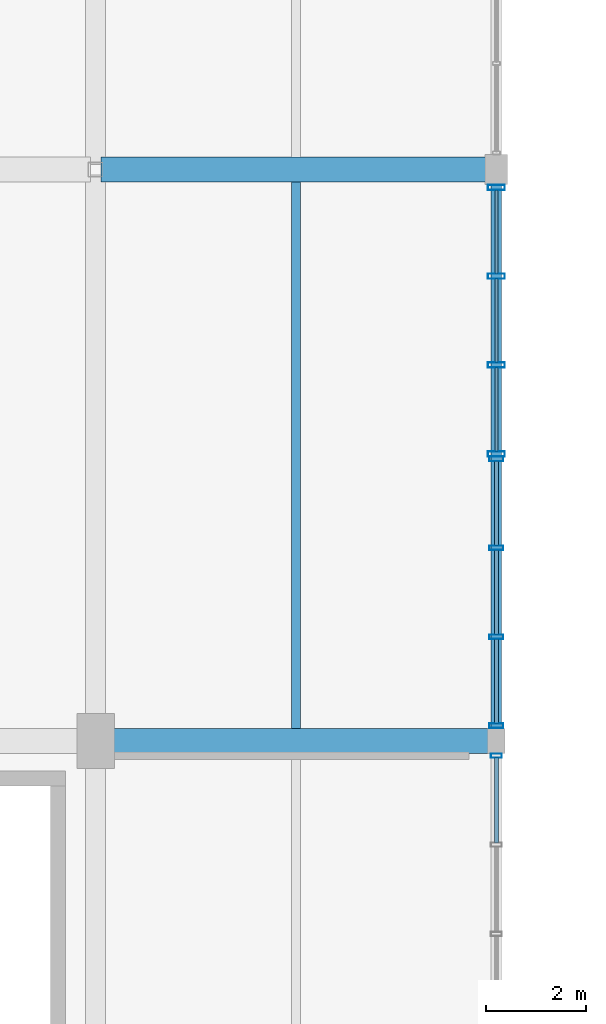
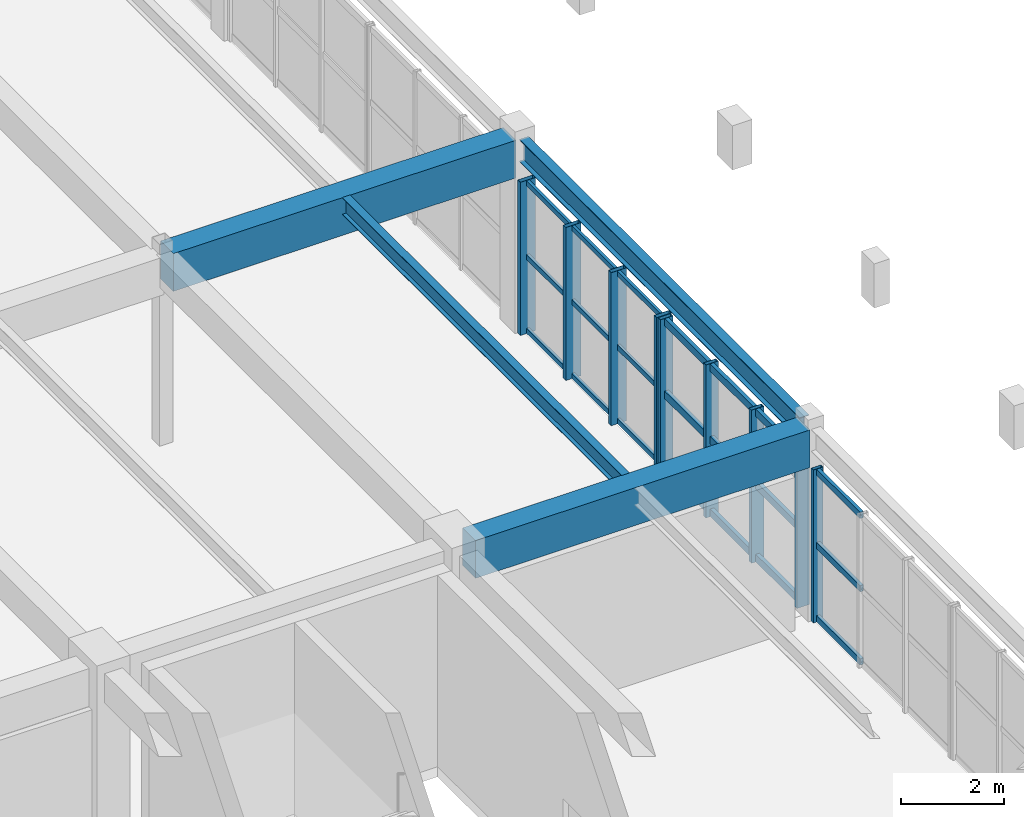
# One storey, part 26 of 106: 30 members, 4 beams, 3 elements without a shape of their own.
"""IFC4 building model written with IfcOpenShell, lengths in metres."""

from ifc_helpers import new_model, si_unit, direction, frame, origin, origin_2d, place, context, subcontext, project, spatial, rectangle, hollow_rectangle, i_section, extrude, material, layer, layer_set, material_profile, profile_set, type_object, element, aggregate, save


model = new_model("IFC4")

# Units and contexts
model_context = context("Model", 3, precision=1e-05, world=origin(), true_north=direction((0.0, 1.0)))
body_context = subcontext(model_context, "Body", "Model", "MODEL_VIEW")
ifc_project = project(units=[si_unit("LENGTHUNIT", "METRE"), si_unit("AREAUNIT", "SQUARE_METRE"), si_unit("VOLUMEUNIT", "CUBIC_METRE"), si_unit("PLANEANGLEUNIT", "RADIAN"), si_unit("MASSUNIT", "GRAM", prefix="KILO"), si_unit("POWERUNIT", "WATT"), si_unit("THERMODYNAMICTEMPERATUREUNIT", "KELVIN")], contexts=[model_context])

# Site, building, storey
site_placement = place(None, origin())
site = spatial("IfcSite", under=ifc_project, at=site_placement, CompositionType="ELEMENT")
building_placement = place(site_placement, origin())
building = spatial("IfcBuilding", under=site, at=building_placement, Name="Kelmbourne Parkland Aquatics Centre", CompositionType="ELEMENT")
storey_placement = place(building_placement, frame((0.0, 0.0, 5.39990234375)))
storey = spatial("IfcBuildingStorey", under=building, at=storey_placement, Name="L01", CompositionType="ELEMENT", Elevation=5.39990234375)

# Beams
ifc_material_1 = material(Name="Concrete C40/50", Category="concrete")
ifc_material_profile_1 = material_profile(ifc_material_1, rectangle(XDim=0.5, YDim=0.89990234375, at=origin_2d()), Name="RC 500x900")
ifc_profile_set_1 = profile_set([ifc_material_profile_1], Name="Concrete C40/50")
beam_type_1 = type_object("IfcBeamType", Name="BM-G03", PredefinedType="BEAM", material=ifc_profile_set_1)
beam_1_placement = place(storey_placement, frame((32.330078125, 46.39990234375, 4.110107421875), z_axis=(1.0, 0.0, 0.0), x_axis=(0.0, 1.0, 0.0)))
element("IfcBeam", 1, at=beam_1_placement, inside=storey, type_object=beam_type_1, Name="Primary girder E-F Grid 06 (L02)", PredefinedType="BEAM", context=body_context, shape_type="SweptSolid", body=[
    extrude(rectangle(XDim=0.5, YDim=0.89990234375, at=origin_2d()), origin(), (0.0, 0.0, 1.0), 7.5400390625),
])
beam_2_placement = place(storey_placement, frame((32.10498046875, 57.800048828125, 4.110107421875), z_axis=(1.0, 0.0, 0.0), x_axis=(0.0, 1.0, 0.0)))
element("IfcBeam", 2, at=beam_2_placement, inside=storey, type_object=beam_type_1, Name="Primary girder E-F Grid 08 (L02)", PredefinedType="BEAM", context=body_context, shape_type="SweptSolid", body=[
    extrude(rectangle(XDim=0.5, YDim=0.89990234375, at=origin_2d()), origin(), (0.0, 0.0, 1.0), 7.715087890625),
])
ifc_material_2 = material(Name="Structural steel AS/NZS 3679.1 Grade 300", Category="steel")
ifc_material_profile_2 = material_profile(ifc_material_2, i_section(OverallWidth=0.177978515625, OverallDepth=0.406005859375, WebThickness=0.0078125, FlangeThickness=0.0126953125, at=origin_2d()), Name="410UB59.7")
ifc_profile_set_2 = profile_set([ifc_material_profile_2], Name="Structural steel AS/NZS 3679.1 Grade 300")
beam_type_2 = type_object("IfcBeamType", Name="BM-J01", PredefinedType="JOIST", material=ifc_profile_set_2)
beam_3_placement = place(storey_placement, frame((36.0, 46.64208984375, 4.357177734375), z_axis=(0.0, 1.0, 0.0), x_axis=(-1.0, 0.0, 0.0)))
element("IfcBeam", 3, at=beam_3_placement, inside=storey, type_object=beam_type_2, Name="Secondary floor joist E-F/06-08 #1 (L02)", PredefinedType="JOIST", context=body_context, shape_type="SweptSolid", body=[
    extrude(i_section(OverallWidth=0.177978515625, OverallDepth=0.406005859375, WebThickness=0.0078125, FlangeThickness=0.0126953125, at=origin_2d()), origin(), (0.0, 0.0, 1.0), 10.916015625),
])
ifc_material_profile_3 = material_profile(ifc_material_2, i_section(OverallWidth=0.208984375, OverallDepth=0.532958984375, WebThickness=0.01025390625, FlangeThickness=0.015625, at=origin_2d()), Name="530UB92.4")
ifc_profile_set_3 = profile_set([ifc_material_profile_3], Name="Structural steel AS/NZS 3679.1 Grade 300")
beam_type_3 = type_object("IfcBeamType", Name="BM-SP02", PredefinedType="SPANDREL", material=ifc_profile_set_3)
beam_4_placement = place(storey_placement, frame((40.0, 46.60498046875, 4.293701171875), z_axis=(0.0, 1.0, 0.0), x_axis=(-1.0, 0.0, 0.0)))
element("IfcBeam", 4, at=beam_4_placement, inside=storey, type_object=beam_type_3, Name="Perimeter spandrel 06-08 Grid F (L02)", PredefinedType="SPANDREL", context=body_context, shape_type="SweptSolid", body=[
    extrude(i_section(OverallWidth=0.208984375, OverallDepth=0.532958984375, WebThickness=0.01025390625, FlangeThickness=0.015625, at=origin_2d()), origin(), (0.0, 0.0, 1.0), 10.93994140625),
])

# Curtain wall, member
ifc_material_3 = material(Name="Thermally broken anodised aluminium framing", Category="aluminium")
ifc_layer_1 = layer(ifc_material_3, 0.179931640625)
ifc_layer_set_1 = layer_set([ifc_layer_1], Name="Thermally broken anodised aluminium framing")
curtain_wall_type_1 = type_object("IfcCurtainWallType", Name="CW-16", PredefinedType="NOTDEFINED", material=ifc_layer_set_1)
curtain_wall_1_placement = place(storey_placement, origin())
curtain_wall_1 = element("IfcCurtainWall", 5, at=curtain_wall_1_placement, inside=storey, type_object=curtain_wall_type_1, Name="Facade curtain wall CW-L01-232", PredefinedType="NOTDEFINED")
ifc_material_profile_4 = material_profile(ifc_material_3, hollow_rectangle(XDim=0.0849609375, YDim=0.219970703125, WallThickness=0.0048828125, at=origin_2d()), Name="CW-M 85x220")
ifc_profile_set_4 = profile_set([ifc_material_profile_4], Name="Thermally broken anodised aluminium framing")
member_type_1 = type_object("IfcMemberType", Name="MB-MUL-3", PredefinedType="MULLION", material=ifc_profile_set_4)
member_1_placement = place(storey_placement, frame((40.0, 46.10546875, 0.0), z_axis=(0.0, 0.0, 1.0), x_axis=(0.0, 1.0, 0.0)))
member_1 = element("IfcMember", 6, at=member_1_placement, type_object=member_type_1, Name="CW-L01-232 mullion 3", PredefinedType="MULLION", context=body_context, shape_type="SweptSolid", body=[
    extrude(hollow_rectangle(XDim=0.0849609375, YDim=0.219970703125, WallThickness=0.0048828125, at=origin_2d()), origin(), (0.0, 0.0, 1.0), 3.64501953125),
])

# Curtain wall, members
ifc_layer_2 = layer(ifc_material_3, 0.179931640625)
ifc_layer_set_2 = layer_set([ifc_layer_2], Name="Thermally broken anodised aluminium framing")
curtain_wall_type_2 = type_object("IfcCurtainWallType", Name="CW-17", PredefinedType="NOTDEFINED", material=ifc_layer_set_2)
curtain_wall_2_placement = place(storey_placement, origin())
curtain_wall_2 = element("IfcCurtainWall", 7, at=curtain_wall_2_placement, inside=storey, type_object=curtain_wall_type_2, Name="Facade curtain wall CW-L01-233", PredefinedType="NOTDEFINED")
ifc_material_profile_5 = material_profile(ifc_material_3, hollow_rectangle(XDim=0.094970703125, YDim=0.280029296875, WallThickness=0.005615234375, at=origin_2d()), Name="CW-M 95x280")
ifc_profile_set_5 = profile_set([ifc_material_profile_5], Name="Thermally broken anodised aluminium framing")
member_type_2 = type_object("IfcMemberType", Name="MB-MUL-4", PredefinedType="MULLION", material=ifc_profile_set_5)
member_2_placement = place(storey_placement, frame((40.0, 46.699462890625, 0.0), z_axis=(0.0, 0.0, 1.0), x_axis=(0.0, 1.0, 0.0)))
member_2 = element("IfcMember", 8, at=member_2_placement, type_object=member_type_2, Name="CW-L01-233 mullion 0", PredefinedType="MULLION", context=body_context, shape_type="SweptSolid", body=[
    extrude(hollow_rectangle(XDim=0.094970703125, YDim=0.280029296875, WallThickness=0.005615234375, at=origin_2d()), origin(), (0.0, 0.0, 1.0), 3.64501953125),
])
member_3_placement = place(storey_placement, frame((40.0, 48.4755859375, 0.0), z_axis=(0.0, 0.0, 1.0), x_axis=(0.0, 1.0, 0.0)))
member_3 = element("IfcMember", 9, at=member_3_placement, type_object=member_type_2, Name="CW-L01-233 mullion 1", PredefinedType="MULLION", context=body_context, shape_type="SweptSolid", body=[
    extrude(hollow_rectangle(XDim=0.094970703125, YDim=0.280029296875, WallThickness=0.005615234375, at=origin_2d()), origin(), (0.0, 0.0, 1.0), 3.64501953125),
])
member_4_placement = place(storey_placement, frame((40.0, 50.25146484375, 0.0), z_axis=(0.0, 0.0, 1.0), x_axis=(0.0, 1.0, 0.0)))
member_4 = element("IfcMember", 10, at=member_4_placement, type_object=member_type_2, Name="CW-L01-233 mullion 2", PredefinedType="MULLION", context=body_context, shape_type="SweptSolid", body=[
    extrude(hollow_rectangle(XDim=0.094970703125, YDim=0.280029296875, WallThickness=0.005615234375, at=origin_2d()), origin(), (0.0, 0.0, 1.0), 3.64501953125),
])
member_5_placement = place(storey_placement, frame((40.0, 52.027587890625, 0.0), z_axis=(0.0, 0.0, 1.0), x_axis=(0.0, 1.0, 0.0)))
member_5 = element("IfcMember", 11, at=member_5_placement, type_object=member_type_2, Name="CW-L01-233 mullion 3", PredefinedType="MULLION", context=body_context, shape_type="SweptSolid", body=[
    extrude(hollow_rectangle(XDim=0.094970703125, YDim=0.280029296875, WallThickness=0.005615234375, at=origin_2d()), origin(), (0.0, 0.0, 1.0), 3.64501953125),
])

ifc_layer_3 = layer(ifc_material_3, 0.179931640625)
ifc_layer_set_3 = layer_set([ifc_layer_3], Name="Thermally broken anodised aluminium framing")
curtain_wall_type_3 = type_object("IfcCurtainWallType", Name="CW-18", PredefinedType="NOTDEFINED", material=ifc_layer_set_3)
curtain_wall_3_placement = place(storey_placement, origin())
curtain_wall_3 = element("IfcCurtainWall", 12, at=curtain_wall_3_placement, inside=storey, type_object=curtain_wall_type_3, Name="Facade curtain wall CW-L01-234", PredefinedType="NOTDEFINED")
ifc_material_profile_6 = material_profile(ifc_material_3, hollow_rectangle(XDim=0.10498046875, YDim=0.340087890625, WallThickness=0.006103515625, at=origin_2d()), Name="CW-M 105x340")
ifc_profile_set_6 = profile_set([ifc_material_profile_6], Name="Thermally broken anodised aluminium framing")
member_type_3 = type_object("IfcMemberType", Name="MB-MUL-5", PredefinedType="MULLION", material=ifc_profile_set_6)
member_6_placement = place(storey_placement, frame((40.0, 52.12744140625, 0.0), z_axis=(0.0, 0.0, 1.0), x_axis=(0.0, 1.0, 0.0)))
member_6 = element("IfcMember", 13, at=member_6_placement, type_object=member_type_3, Name="CW-L01-234 mullion 0", PredefinedType="MULLION", context=body_context, shape_type="SweptSolid", body=[
    extrude(hollow_rectangle(XDim=0.10498046875, YDim=0.340087890625, WallThickness=0.006103515625, at=origin_2d()), origin(), (0.0, 0.0, 1.0), 3.64501953125),
])
member_7_placement = place(storey_placement, frame((40.0, 53.900146484375, 0.0), z_axis=(0.0, 0.0, 1.0), x_axis=(0.0, 1.0, 0.0)))
member_7 = element("IfcMember", 14, at=member_7_placement, type_object=member_type_3, Name="CW-L01-234 mullion 1", PredefinedType="MULLION", context=body_context, shape_type="SweptSolid", body=[
    extrude(hollow_rectangle(XDim=0.10498046875, YDim=0.340087890625, WallThickness=0.006103515625, at=origin_2d()), origin(), (0.0, 0.0, 1.0), 3.64501953125),
])
member_8_placement = place(storey_placement, frame((40.0, 55.6728515625, 0.0), z_axis=(0.0, 0.0, 1.0), x_axis=(0.0, 1.0, 0.0)))
member_8 = element("IfcMember", 15, at=member_8_placement, type_object=member_type_3, Name="CW-L01-234 mullion 2", PredefinedType="MULLION", context=body_context, shape_type="SweptSolid", body=[
    extrude(hollow_rectangle(XDim=0.10498046875, YDim=0.340087890625, WallThickness=0.006103515625, at=origin_2d()), origin(), (0.0, 0.0, 1.0), 3.64501953125),
])
member_9_placement = place(storey_placement, frame((40.0, 57.445556640625, 0.0), z_axis=(0.0, 0.0, 1.0), x_axis=(0.0, 1.0, 0.0)))
member_9 = element("IfcMember", 16, at=member_9_placement, type_object=member_type_3, Name="CW-L01-234 mullion 3", PredefinedType="MULLION", context=body_context, shape_type="SweptSolid", body=[
    extrude(hollow_rectangle(XDim=0.10498046875, YDim=0.340087890625, WallThickness=0.006103515625, at=origin_2d()), origin(), (0.0, 0.0, 1.0), 3.64501953125),
])
ifc_material_profile_7 = material_profile(ifc_material_3, hollow_rectangle(XDim=0.06494140625, YDim=0.1201171875, WallThickness=0.00341796875, at=origin_2d()), Name="CW-T 65x120")
ifc_profile_set_7 = profile_set([ifc_material_profile_7], Name="Thermally broken anodised aluminium framing")
member_type_4 = type_object("IfcMemberType", Name="MB-TRN-1", PredefinedType="USERDEFINED", material=ifc_profile_set_7)
member_10_placement = place(storey_placement, frame((40.0, 52.176025390625, 0.06298828125), z_axis=(0.0, 1.0, 0.0), x_axis=(-1.0, 0.0, 0.0)))
member_10 = element("IfcMember", 17, at=member_10_placement, type_object=member_type_4, Name="CW-L01-234 transom 0-0", ObjectType="TRANSOM", PredefinedType="USERDEFINED", context=body_context, shape_type="SweptSolid", body=[
    extrude(hollow_rectangle(XDim=0.06494140625, YDim=0.1201171875, WallThickness=0.00341796875, at=origin_2d()), origin(), (0.0, 0.0, 1.0), 1.67578125),
])
member_11_placement = place(storey_placement, frame((40.0, 53.94873046875, 0.06298828125), z_axis=(0.0, 1.0, 0.0), x_axis=(-1.0, 0.0, 0.0)))
member_11 = element("IfcMember", 18, at=member_11_placement, type_object=member_type_4, Name="CW-L01-234 transom 0-1", ObjectType="TRANSOM", PredefinedType="USERDEFINED", context=body_context, shape_type="SweptSolid", body=[
    extrude(hollow_rectangle(XDim=0.06494140625, YDim=0.1201171875, WallThickness=0.00341796875, at=origin_2d()), origin(), (0.0, 0.0, 1.0), 1.675537109375),
])
member_12_placement = place(storey_placement, frame((40.0, 55.72119140625, 0.06298828125), z_axis=(0.0, 1.0, 0.0), x_axis=(-1.0, 0.0, 0.0)))
member_12 = element("IfcMember", 19, at=member_12_placement, type_object=member_type_4, Name="CW-L01-234 transom 0-2", ObjectType="TRANSOM", PredefinedType="USERDEFINED", context=body_context, shape_type="SweptSolid", body=[
    extrude(hollow_rectangle(XDim=0.06494140625, YDim=0.1201171875, WallThickness=0.00341796875, at=origin_2d()), origin(), (0.0, 0.0, 1.0), 1.67578125),
])
member_13_placement = place(storey_placement, frame((40.0, 52.176025390625, 1.822509765625), z_axis=(0.0, 1.0, 0.0), x_axis=(-1.0, 0.0, 0.0)))
member_13 = element("IfcMember", 20, at=member_13_placement, type_object=member_type_4, Name="CW-L01-234 transom 1-0", ObjectType="TRANSOM", PredefinedType="USERDEFINED", context=body_context, shape_type="SweptSolid", body=[
    extrude(hollow_rectangle(XDim=0.06494140625, YDim=0.1201171875, WallThickness=0.00341796875, at=origin_2d()), origin(), (0.0, 0.0, 1.0), 1.67578125),
])
member_14_placement = place(storey_placement, frame((40.0, 53.94873046875, 1.822509765625), z_axis=(0.0, 1.0, 0.0), x_axis=(-1.0, 0.0, 0.0)))
member_14 = element("IfcMember", 21, at=member_14_placement, type_object=member_type_4, Name="CW-L01-234 transom 1-1", ObjectType="TRANSOM", PredefinedType="USERDEFINED", context=body_context, shape_type="SweptSolid", body=[
    extrude(hollow_rectangle(XDim=0.06494140625, YDim=0.1201171875, WallThickness=0.00341796875, at=origin_2d()), origin(), (0.0, 0.0, 1.0), 1.675537109375),
])
member_15_placement = place(storey_placement, frame((40.0, 55.72119140625, 1.822509765625), z_axis=(0.0, 1.0, 0.0), x_axis=(-1.0, 0.0, 0.0)))
member_15 = element("IfcMember", 22, at=member_15_placement, type_object=member_type_4, Name="CW-L01-234 transom 1-2", ObjectType="TRANSOM", PredefinedType="USERDEFINED", context=body_context, shape_type="SweptSolid", body=[
    extrude(hollow_rectangle(XDim=0.06494140625, YDim=0.1201171875, WallThickness=0.00341796875, at=origin_2d()), origin(), (0.0, 0.0, 1.0), 1.67578125),
])
member_16_placement = place(storey_placement, frame((40.0, 52.176025390625, 3.58203125), z_axis=(0.0, 1.0, 0.0), x_axis=(-1.0, 0.0, 0.0)))
member_16 = element("IfcMember", 23, at=member_16_placement, type_object=member_type_4, Name="CW-L01-234 transom 2-0", ObjectType="TRANSOM", PredefinedType="USERDEFINED", context=body_context, shape_type="SweptSolid", body=[
    extrude(hollow_rectangle(XDim=0.06494140625, YDim=0.1201171875, WallThickness=0.00341796875, at=origin_2d()), origin(), (0.0, 0.0, 1.0), 1.67578125),
])
member_17_placement = place(storey_placement, frame((40.0, 53.94873046875, 3.58203125), z_axis=(0.0, 1.0, 0.0), x_axis=(-1.0, 0.0, 0.0)))
member_17 = element("IfcMember", 24, at=member_17_placement, type_object=member_type_4, Name="CW-L01-234 transom 2-1", ObjectType="TRANSOM", PredefinedType="USERDEFINED", context=body_context, shape_type="SweptSolid", body=[
    extrude(hollow_rectangle(XDim=0.06494140625, YDim=0.1201171875, WallThickness=0.00341796875, at=origin_2d()), origin(), (0.0, 0.0, 1.0), 1.675537109375),
])
member_18_placement = place(storey_placement, frame((40.0, 55.72119140625, 3.58203125), z_axis=(0.0, 1.0, 0.0), x_axis=(-1.0, 0.0, 0.0)))
member_18 = element("IfcMember", 25, at=member_18_placement, type_object=member_type_4, Name="CW-L01-234 transom 2-2", ObjectType="TRANSOM", PredefinedType="USERDEFINED", context=body_context, shape_type="SweptSolid", body=[
    extrude(hollow_rectangle(XDim=0.06494140625, YDim=0.1201171875, WallThickness=0.00341796875, at=origin_2d()), origin(), (0.0, 0.0, 1.0), 1.67578125),
])
aggregate(curtain_wall_3, [member_6, member_7, member_8, member_9, member_10, member_11, member_12, member_13, member_14, member_15, member_16, member_17, member_18])

# Member
ifc_material_profile_8 = material_profile(ifc_material_3, hollow_rectangle(XDim=0.074951171875, YDim=0.14990234375, WallThickness=0.00390625, at=origin_2d()), Name="CW-T 75x150")
ifc_profile_set_8 = profile_set([ifc_material_profile_8], Name="Thermally broken anodised aluminium framing")
member_type_5 = type_object("IfcMemberType", Name="MB-TRN-2", PredefinedType="USERDEFINED", material=ifc_profile_set_8)
member_19_placement = place(storey_placement, frame((40.0, 44.36474609375, 0.078125), z_axis=(0.0, 1.0, 0.0), x_axis=(-1.0, 0.0, 0.0)))
member_19 = element("IfcMember", 26, at=member_19_placement, type_object=member_type_5, Name="CW-L01-232 transom 0-2", ObjectType="TRANSOM", PredefinedType="USERDEFINED", context=body_context, shape_type="SweptSolid", body=[
    extrude(hollow_rectangle(XDim=0.074951171875, YDim=0.14990234375, WallThickness=0.00390625, at=origin_2d()), origin(), (0.0, 0.0, 1.0), 1.7021484375),
])

member_20_placement = place(storey_placement, frame((40.0, 44.36474609375, 1.822509765625), z_axis=(0.0, 1.0, 0.0), x_axis=(-1.0, 0.0, 0.0)))
member_20 = element("IfcMember", 27, at=member_20_placement, type_object=member_type_5, Name="CW-L01-232 transom 1-2", ObjectType="TRANSOM", PredefinedType="USERDEFINED", context=body_context, shape_type="SweptSolid", body=[
    extrude(hollow_rectangle(XDim=0.074951171875, YDim=0.14990234375, WallThickness=0.00390625, at=origin_2d()), origin(), (0.0, 0.0, 1.0), 1.7021484375),
])

member_21_placement = place(storey_placement, frame((40.0, 44.36474609375, 3.567138671875), z_axis=(0.0, 1.0, 0.0), x_axis=(-1.0, 0.0, 0.0)))
member_21 = element("IfcMember", 28, at=member_21_placement, type_object=member_type_5, Name="CW-L01-232 transom 2-2", ObjectType="TRANSOM", PredefinedType="USERDEFINED", context=body_context, shape_type="SweptSolid", body=[
    extrude(hollow_rectangle(XDim=0.074951171875, YDim=0.14990234375, WallThickness=0.00390625, at=origin_2d()), origin(), (0.0, 0.0, 1.0), 1.7021484375),
])

aggregate(curtain_wall_1, [member_1, member_19, member_20, member_21])

ifc_material_profile_9 = material_profile(ifc_material_3, hollow_rectangle(XDim=0.0849609375, YDim=0.179931640625, WallThickness=0.00439453125, at=origin_2d()), Name="CW-T 85x180")
ifc_profile_set_9 = profile_set([ifc_material_profile_9], Name="Thermally broken anodised aluminium framing")
member_type_6 = type_object("IfcMemberType", Name="MB-TRN-3", PredefinedType="USERDEFINED", material=ifc_profile_set_9)
member_22_placement = place(storey_placement, frame((40.0, 46.742919921875, 0.093017578125), z_axis=(0.0, 1.0, 0.0), x_axis=(-1.0, 0.0, 0.0)))
member_22 = element("IfcMember", 29, at=member_22_placement, type_object=member_type_6, Name="CW-L01-233 transom 0-0", ObjectType="TRANSOM", PredefinedType="USERDEFINED", context=body_context, shape_type="SweptSolid", body=[
    extrude(hollow_rectangle(XDim=0.0849609375, YDim=0.179931640625, WallThickness=0.00439453125, at=origin_2d()), origin(), (0.0, 0.0, 1.0), 1.68896484375),
])

member_23_placement = place(storey_placement, frame((40.0, 48.51904296875, 0.093017578125), z_axis=(0.0, 1.0, 0.0), x_axis=(-1.0, 0.0, 0.0)))
member_23 = element("IfcMember", 30, at=member_23_placement, type_object=member_type_6, Name="CW-L01-233 transom 0-1", ObjectType="TRANSOM", PredefinedType="USERDEFINED", context=body_context, shape_type="SweptSolid", body=[
    extrude(hollow_rectangle(XDim=0.0849609375, YDim=0.179931640625, WallThickness=0.00439453125, at=origin_2d()), origin(), (0.0, 0.0, 1.0), 1.68896484375),
])

member_24_placement = place(storey_placement, frame((40.0, 50.294921875, 0.093017578125), z_axis=(0.0, 1.0, 0.0), x_axis=(-1.0, 0.0, 0.0)))
member_24 = element("IfcMember", 31, at=member_24_placement, type_object=member_type_6, Name="CW-L01-233 transom 0-2", ObjectType="TRANSOM", PredefinedType="USERDEFINED", context=body_context, shape_type="SweptSolid", body=[
    extrude(hollow_rectangle(XDim=0.0849609375, YDim=0.179931640625, WallThickness=0.00439453125, at=origin_2d()), origin(), (0.0, 0.0, 1.0), 1.68896484375),
])

member_25_placement = place(storey_placement, frame((40.0, 46.742919921875, 1.822509765625), z_axis=(0.0, 1.0, 0.0), x_axis=(-1.0, 0.0, 0.0)))
member_25 = element("IfcMember", 32, at=member_25_placement, type_object=member_type_6, Name="CW-L01-233 transom 1-0", ObjectType="TRANSOM", PredefinedType="USERDEFINED", context=body_context, shape_type="SweptSolid", body=[
    extrude(hollow_rectangle(XDim=0.0849609375, YDim=0.179931640625, WallThickness=0.00439453125, at=origin_2d()), origin(), (0.0, 0.0, 1.0), 1.68896484375),
])

member_26_placement = place(storey_placement, frame((40.0, 48.51904296875, 1.822509765625), z_axis=(0.0, 1.0, 0.0), x_axis=(-1.0, 0.0, 0.0)))
member_26 = element("IfcMember", 33, at=member_26_placement, type_object=member_type_6, Name="CW-L01-233 transom 1-1", ObjectType="TRANSOM", PredefinedType="USERDEFINED", context=body_context, shape_type="SweptSolid", body=[
    extrude(hollow_rectangle(XDim=0.0849609375, YDim=0.179931640625, WallThickness=0.00439453125, at=origin_2d()), origin(), (0.0, 0.0, 1.0), 1.68896484375),
])

member_27_placement = place(storey_placement, frame((40.0, 50.294921875, 1.822509765625), z_axis=(0.0, 1.0, 0.0), x_axis=(-1.0, 0.0, 0.0)))
member_27 = element("IfcMember", 34, at=member_27_placement, type_object=member_type_6, Name="CW-L01-233 transom 1-2", ObjectType="TRANSOM", PredefinedType="USERDEFINED", context=body_context, shape_type="SweptSolid", body=[
    extrude(hollow_rectangle(XDim=0.0849609375, YDim=0.179931640625, WallThickness=0.00439453125, at=origin_2d()), origin(), (0.0, 0.0, 1.0), 1.68896484375),
])

member_28_placement = place(storey_placement, frame((40.0, 46.742919921875, 3.552001953125), z_axis=(0.0, 1.0, 0.0), x_axis=(-1.0, 0.0, 0.0)))
member_28 = element("IfcMember", 35, at=member_28_placement, type_object=member_type_6, Name="CW-L01-233 transom 2-0", ObjectType="TRANSOM", PredefinedType="USERDEFINED", context=body_context, shape_type="SweptSolid", body=[
    extrude(hollow_rectangle(XDim=0.0849609375, YDim=0.179931640625, WallThickness=0.00439453125, at=origin_2d()), origin(), (0.0, 0.0, 1.0), 1.68896484375),
])

member_29_placement = place(storey_placement, frame((40.0, 48.51904296875, 3.552001953125), z_axis=(0.0, 1.0, 0.0), x_axis=(-1.0, 0.0, 0.0)))
member_29 = element("IfcMember", 36, at=member_29_placement, type_object=member_type_6, Name="CW-L01-233 transom 2-1", ObjectType="TRANSOM", PredefinedType="USERDEFINED", context=body_context, shape_type="SweptSolid", body=[
    extrude(hollow_rectangle(XDim=0.0849609375, YDim=0.179931640625, WallThickness=0.00439453125, at=origin_2d()), origin(), (0.0, 0.0, 1.0), 1.68896484375),
])

member_30_placement = place(storey_placement, frame((40.0, 50.294921875, 3.552001953125), z_axis=(0.0, 1.0, 0.0), x_axis=(-1.0, 0.0, 0.0)))
member_30 = element("IfcMember", 37, at=member_30_placement, type_object=member_type_6, Name="CW-L01-233 transom 2-2", ObjectType="TRANSOM", PredefinedType="USERDEFINED", context=body_context, shape_type="SweptSolid", body=[
    extrude(hollow_rectangle(XDim=0.0849609375, YDim=0.179931640625, WallThickness=0.00439453125, at=origin_2d()), origin(), (0.0, 0.0, 1.0), 1.68896484375),
])

aggregate(curtain_wall_2, [member_2, member_3, member_4, member_5, member_22, member_23, member_24, member_25, member_26, member_27, member_28, member_29, member_30])

save(model, "model.ifc")
